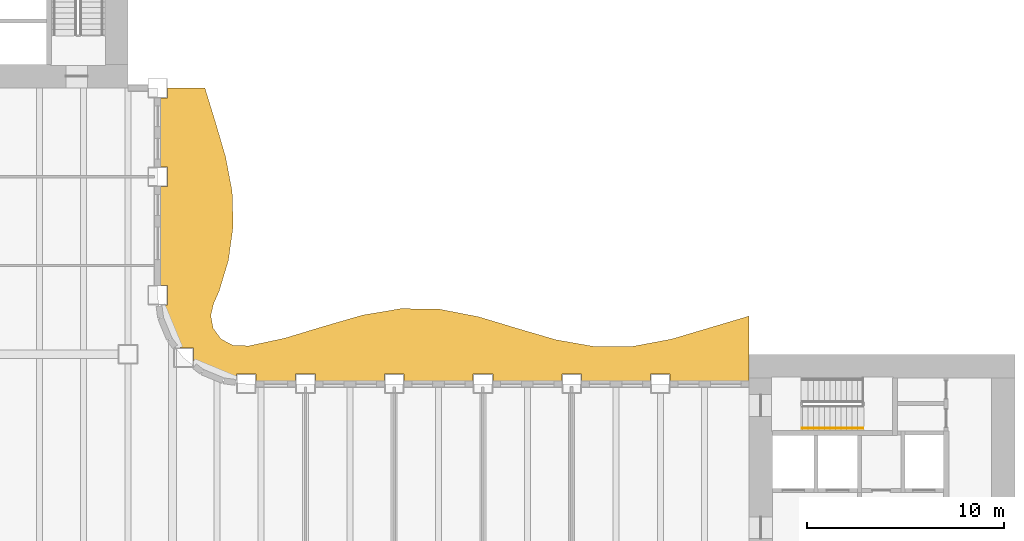
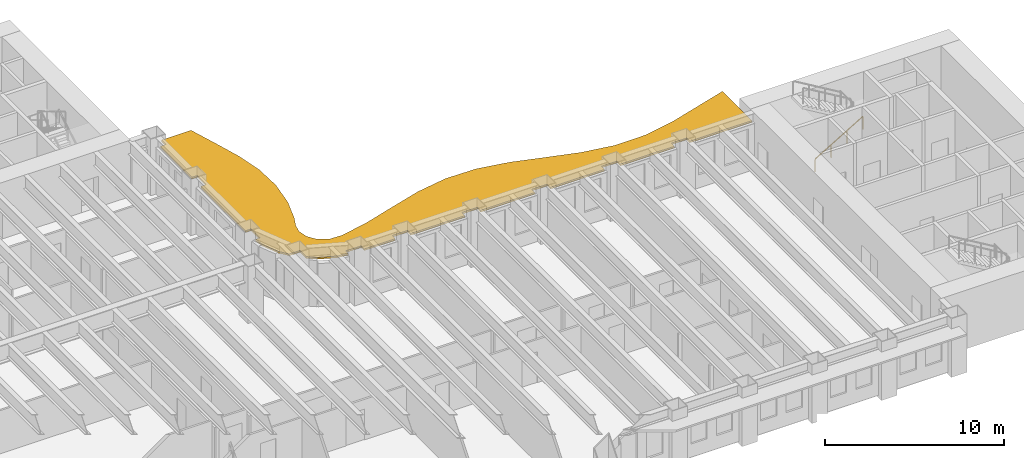
# One storey, part 14 of 16: 1 railing, 1 shading device.
"""IFC4 building model written with IfcOpenShell, lengths in metres."""

from ifc_helpers import new_model, si_unit, direction, frame, origin, origin_2d, place, context, subcontext, project, spatial, polyline, rectangle, outline, extrude, material, layer, layer_set, type_object, element, save


model = new_model("IFC4")

# Units and contexts
model_context = context("Model", 3, precision=1e-05, world=origin(), true_north=direction((0.0, 1.0)))
body_context = subcontext(model_context, "Body", "Model", "MODEL_VIEW")
ifc_project = project(units=[si_unit("LENGTHUNIT", "METRE"), si_unit("AREAUNIT", "SQUARE_METRE"), si_unit("VOLUMEUNIT", "CUBIC_METRE"), si_unit("PLANEANGLEUNIT", "RADIAN"), si_unit("MASSUNIT", "GRAM", prefix="KILO")], contexts=[model_context])

# Site, building, storey
site_placement = place(None, origin())
site = spatial("IfcSite", under=ifc_project, at=site_placement, CompositionType="ELEMENT")
building_placement = place(site_placement, origin())
building = spatial("IfcBuilding", under=site, at=building_placement, Name="Sennacour Bend Tower", CompositionType="ELEMENT")
storey_placement = place(building_placement, frame((0.0, 0.0, 119.0)))
storey = spatial("IfcBuildingStorey", under=building, at=storey_placement, Name="L27", CompositionType="ELEMENT", Elevation=119.0)

# Railing
ifc_material_1 = material(Name="Stainless steel", Category="steel")
railing_type = type_object("IfcRailingType", Name="RL-HANDRAIL-900", PredefinedType="HANDRAIL", material=ifc_material_1)
railing_placement = place(storey_placement, frame((56.699951171875, 18.75, 0.166748046875)))
element("IfcRailing", 1, at=railing_placement, inside=storey, type_object=railing_type, Name="L27 SA2 stair handrail 1", PredefinedType="HANDRAIL", context=body_context, shape_type="SweptSolid", body=[
    extrude(rectangle(XDim=0.048095703125, YDim=0.048095703125, at=origin_2d()), frame((0.0, 0.0, 0.8759765625), z_axis=(0.859308565015, 0.0, 0.511457515432), x_axis=(0.0, 1.0, 0.0)), (0.0, 0.0, 1.0), 3.58447265625),
    extrude(rectangle(XDim=0.0419921875, YDim=0.0419921875, at=origin_2d()), origin(), (0.0, 0.0, 1.0), 0.851806640625),
    extrude(rectangle(XDim=0.0419921875, YDim=0.0419921875, at=origin_2d()), frame((1.026611328125, 0.0, 0.611083984375)), (0.0, 0.0, 1.0), 0.851806640625),
    extrude(rectangle(XDim=0.0419921875, YDim=0.0419921875, at=origin_2d()), frame((2.053466796875, 0.0, 1.22216796875)), (0.0, 0.0, 1.0), 0.851806640625),
    extrude(rectangle(XDim=0.0419921875, YDim=0.0419921875, at=origin_2d()), frame((3.080078125, 0.0, 1.833251953125)), (0.0, 0.0, 1.0), 0.851806640625),
])

# Shading device
ifc_material_2 = material(Name="Bronze anodised aluminium", Category="aluminium")
ifc_layer = layer(ifc_material_2, 0.1201171875, Name="Bronze anodised aluminium", Category="aluminium")
ifc_layer_set = layer_set([ifc_layer], Name="Bronze anodised aluminium")
shading_device_type = type_object("IfcShadingDeviceType", Name="SUNSHADE BAND WAVE", PredefinedType="USERDEFINED", material=ifc_layer_set)
shading_device_placement = place(storey_placement, frame((0.0, 0.0, 3.033935546875)))
element("IfcShadingDevice", 2, at=shading_device_placement, inside=storey, type_object=shading_device_type, Name="Sunshade band L27 concave faces", ObjectType="SUNSHADE", PredefinedType="USERDEFINED", context=body_context, shape_type="SweptSolid", body=[
    extrude(outline(polyline([(54.0, 21.14990234375), (50.0, 21.14990234375), (50.0, 21.5), (49.0, 21.5), (49.0, 21.14990234375), (45.5, 21.14990234375), (45.5, 21.5), (44.5, 21.5), (44.5, 21.14990234375), (41.0, 21.14990234375), (41.0, 21.5), (40.0, 21.5), (40.0, 21.14990234375), (36.5, 21.14990234375), (36.5, 21.5), (35.5, 21.5), (35.5, 21.14990234375), (32.0, 21.14990234375), (32.0, 21.5), (31.0, 21.5), (31.0, 21.14990234375), (29.0, 21.14990234375), (29.0, 21.5), (28.0, 21.5), (28.0, 21.217041015625), (27.37451171875, 21.299560546875), (26.32568359375, 21.73388671875), (25.818115234375, 22.123291015625), (25.818115234375, 22.818115234375), (25.123291015625, 22.818115234375), (24.73388671875, 23.32568359375), (24.299560546875, 24.37451171875), (24.217041015625, 25.0), (24.5, 25.0), (24.5, 26.0), (24.14990234375, 26.0), (24.14990234375, 31.0), (24.5, 31.0), (24.5, 32.0), (24.14990234375, 32.0), (24.14990234375, 35.5), (24.5, 35.5), (24.5, 36.0), (26.400634765625, 36.0), (26.939208984375, 34.25), (27.450927734375, 32.5), (27.781982421875, 30.75), (27.8330078125, 29.0), (27.58837890625, 27.25), (27.1220703125, 25.70458984375), (26.83544921875, 25.053955078125), (26.69677734375, 24.458984375), (26.818359375, 23.818359375), (27.214599609375, 23.2734375), (27.818359375, 22.955810546875), (28.626220703125, 22.92529296875), (30.46142578125, 23.320556640625), (32.423095703125, 23.914306640625), (34.384521484375, 24.484130859375), (36.34619140625, 24.81591796875), (38.3076171875, 24.785400390625), (40.269287109375, 24.404052734375), (42.230712890625, 23.81494140625), (44.1923828125, 23.23876953125), (46.15380859375, 22.89208984375), (48.115478515625, 22.904541015625), (50.076904296875, 23.271728515625), (52.03857421875, 23.85595703125), (54.0, 24.437744140625), (54.0, 21.14990234375)])), origin(), (0.0, 0.0, 1.0), 0.1201171875),
])

save(model, "model.ifc")
